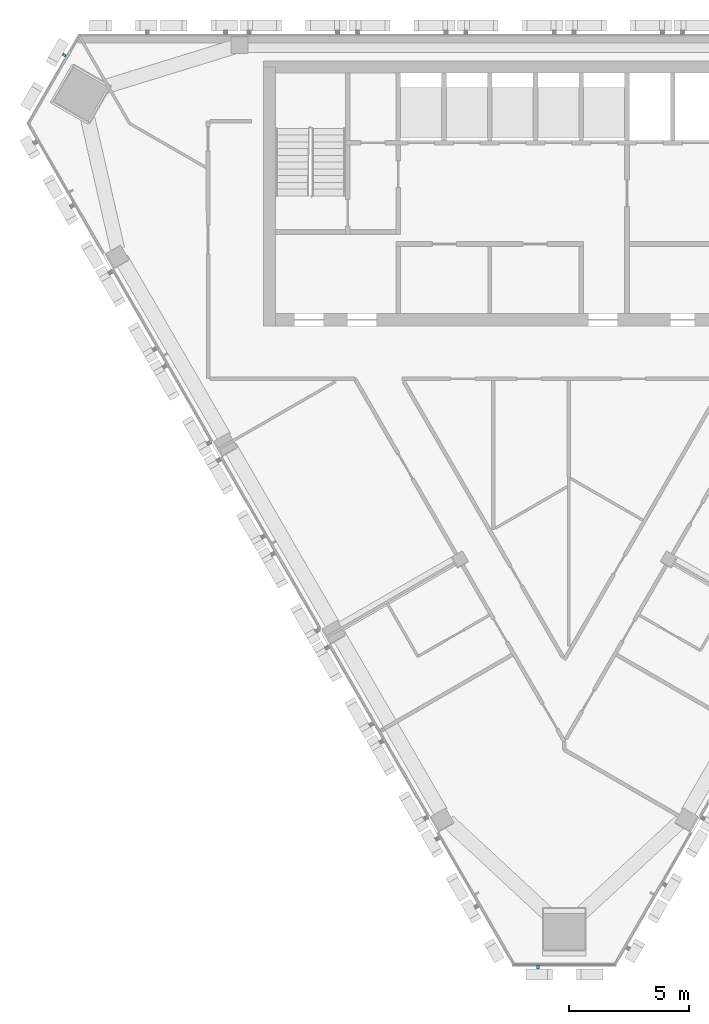
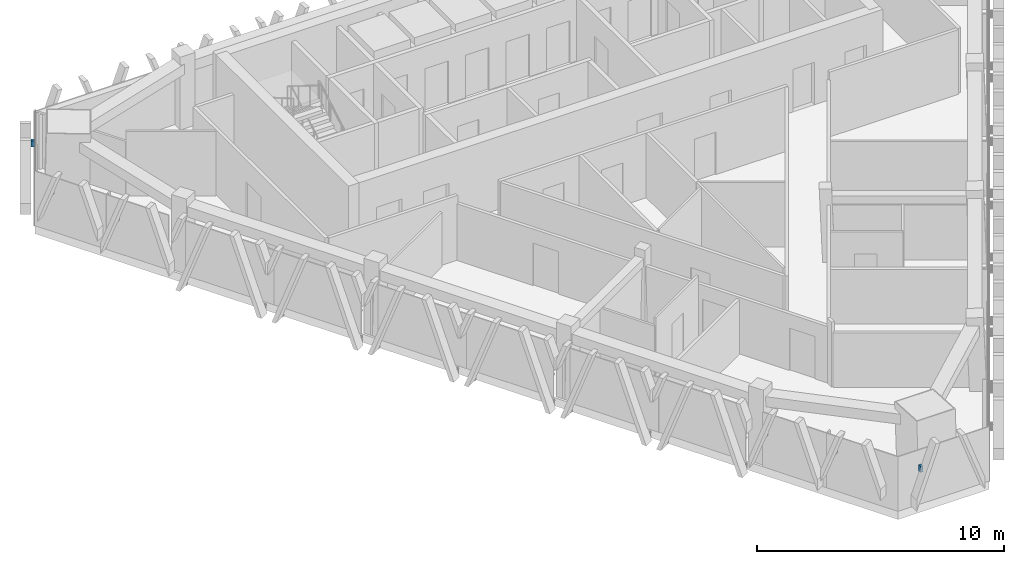
# One storey, part 11 of 14: 2 discrete accessories.
"""IFC4 building model written with IfcOpenShell, lengths in metres."""

from ifc_helpers import new_model, si_unit, direction, frame, origin, place, context, subcontext, project, spatial, polyline, outline, extrude, source, transform, mapped, material, type_object, element, save


model = new_model("IFC4")

# Units and contexts
model_context = context("Model", 3, precision=1e-05, world=origin(), true_north=direction((0.0, 1.0)))
body_context = subcontext(model_context, "Body", "Model", "MODEL_VIEW")
ifc_project = project(units=[si_unit("LENGTHUNIT", "METRE"), si_unit("AREAUNIT", "SQUARE_METRE"), si_unit("VOLUMEUNIT", "CUBIC_METRE"), si_unit("PLANEANGLEUNIT", "RADIAN"), si_unit("MASSUNIT", "GRAM", prefix="KILO")], contexts=[model_context])

# Site, building, storey
site_placement = place(None, origin())
site = spatial("IfcSite", under=ifc_project, at=site_placement, CompositionType="ELEMENT")
building_placement = place(site_placement, origin())
building = spatial("IfcBuilding", under=site, at=building_placement, Name="Altiplano Prism Tower", CompositionType="ELEMENT")
storey_placement = place(building_placement, frame((0.0, 0.0, 295.0)))
storey = spatial("IfcBuildingStorey", under=building, at=storey_placement, Name="L76", CompositionType="ELEMENT", Elevation=295.0)

# Discrete accessories
ifc_material = material(Name="Stainless steel", Category="steel")
discrete_accessory_type = type_object("IfcDiscreteAccessoryType", Name="Stone fin fixing prongs", PredefinedType="USERDEFINED", material=ifc_material)
shared_shape = source(origin(), body_context, "Body", "SweptSolid", [
    extrude(outline(polyline([(-1.16162109375, 2.07177734375), (-1.041748046875, 2.07177734375), (-1.041748046875, 2.37158203125), (-1.16162109375, 2.37158203125), (-1.16162109375, 2.07177734375)])), frame((0.0, 0.0, 0.0), z_axis=(0.0, -1.0, 0.0), x_axis=(1.0, 0.0, 0.0)), (0.0, 0.0, 1.0), 0.14990234375),
])
discrete_accessory_1_placement = place(storey_placement, origin())
element("IfcDiscreteAccessory", 1, at=discrete_accessory_1_placement, inside=storey, type_object=discrete_accessory_type, Name="Fin fixings L76 north-west chamfer", ObjectType="BRACKET", PredefinedType="USERDEFINED", context=body_context, shape_type="MappedRepresentation", body=[
    mapped(shared_shape, transform((63.739013671875, 103.151123046875, -0.39990234375), x_axis=(-0.500000067794, -0.866025364643, 0.0), y_axis=(0.866025364643, -0.500000067794, 0.0), z_axis=(0.0, 0.0, 1.0))),
])
discrete_accessory_2_placement = place(storey_placement, origin())
element("IfcDiscreteAccessory", 2, at=discrete_accessory_2_placement, inside=storey, type_object=discrete_accessory_type, Name="Fin fixings L76 south chamfer", ObjectType="BRACKET", PredefinedType="USERDEFINED", context=body_context, shape_type="MappedRepresentation", body=[
    mapped(shared_shape, transform((85.0, 66.325927734375, -0.39990234375), x_axis=(1.0, 0.0, 0.0), y_axis=(0.0, 1.0, 0.0), z_axis=(0.0, 0.0, 1.0))),
])

save(model, "model.ifc")
